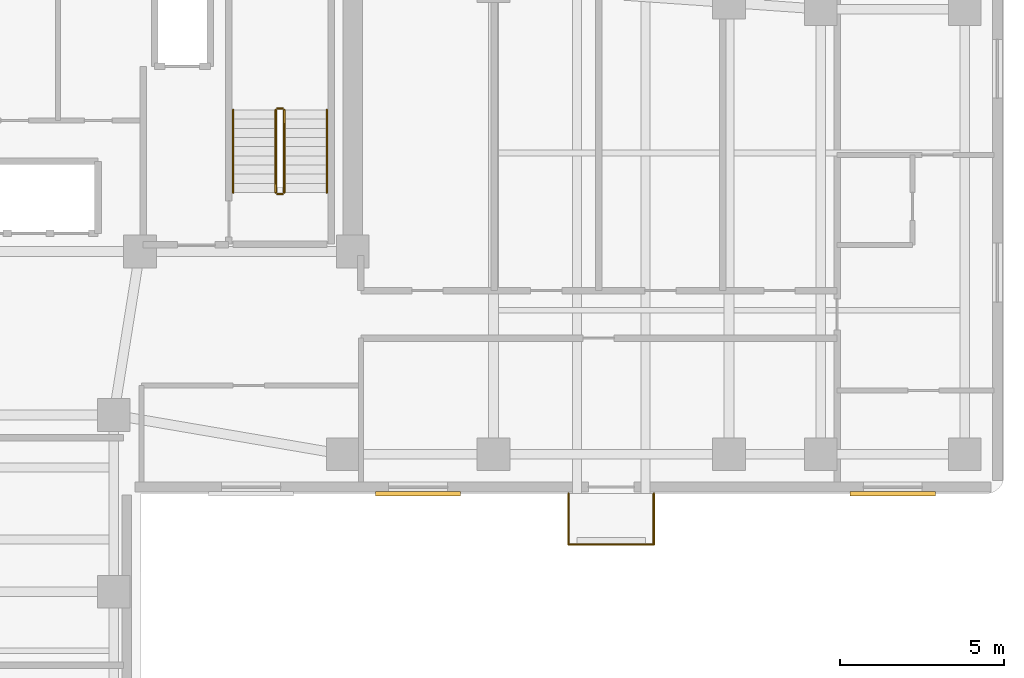
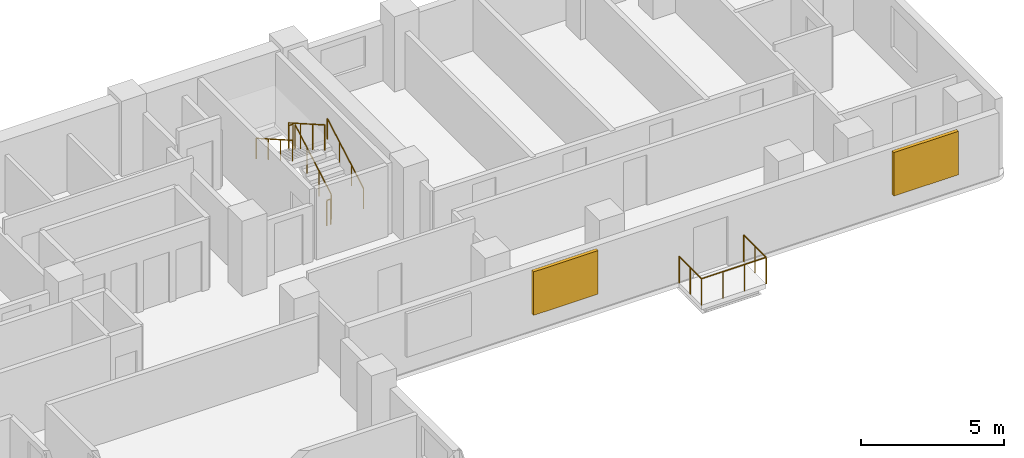
# One storey, part 7 of 7: 9 railings, 2 shading devices.
"""IFC4 building model written with IfcOpenShell, lengths in metres."""

import ifcopenshell
import ifcopenshell.guid

model = None  # the IFC model being written
_history = None  # IfcOwnerHistory: only IFC2X3 demands one
_inside = {}  # id of a spatial element -> (the spatial element, [elements in it])
_under = {}  # id of a project, library or spatial element -> (it, [spatial elements below it])
_declared = {}  # id of a project -> (the project, [libraries it declares])
_typed = {}  # id of a type object -> (the type object, [elements of that type])
_made_of = {}  # id of a material, layer set ... -> (it, [elements and type objects made of it])


def new_model(schema):
    """Start an empty IFC model of exactly this schema.

    Asked for "IFC4X3", IfcOpenShell would pick the latest addendum, in which some entities
    have other attributes; the version numbers below select the first issue.
    IFC2X3 requires an IfcOwnerHistory on every rooted entity: one is made here for all.
    """
    global model, _history
    if schema == "IFC4X3":
        model = ifcopenshell.file(schema_version=(4, 3, 0, 0))
    else:
        model = ifcopenshell.file(schema=schema)
    _inside.clear()
    _under.clear()
    _declared.clear()
    _typed.clear()
    _made_of.clear()
    _history = None
    if model.schema == "IFC2X3":
        org = make("IfcOrganization", Name="unknown")
        user = make(
            "IfcPersonAndOrganization",
            ThePerson=make("IfcPerson", FamilyName="unknown"),
            TheOrganization=org,
        )
        app = make(
            "IfcApplication",
            ApplicationDeveloper=org,
            Version="unknown",
            ApplicationFullName="unknown",
            ApplicationIdentifier="unknown",
        )
        _history = make(
            "IfcOwnerHistory",
            OwningUser=user,
            OwningApplication=app,
            ChangeAction="ADDED",
            CreationDate=0,
        )
    return model


def make(cls, **values):
    """One entity of the class cls with the attributes given. An attribute that is None is left unset."""
    return model.create_entity(
        cls, **{name: value for name, value in values.items() if value is not None}
    )


def rooted(cls, **values):
    """An entity with a GlobalId (a new one), such as an element, a storey or a relation."""
    return make(cls, GlobalId=ifcopenshell.guid.new(), OwnerHistory=_history, **values)


def si_unit(unit_type, name, prefix=None):
    """IfcSIUnit, for example si_unit("LENGTHUNIT", "METRE", prefix="MILLI")."""
    return make("IfcSIUnit", UnitType=unit_type, Prefix=prefix, Name=name)


def assignment(units):
    """IfcUnitAssignment: the units of a project."""
    return None if units is None else make("IfcUnitAssignment", Units=units)


def point(xyz):
    """IfcCartesianPoint."""
    return None if xyz is None else make("IfcCartesianPoint", Coordinates=xyz)


def direction(xyz):
    """IfcDirection."""
    return None if xyz is None else make("IfcDirection", DirectionRatios=xyz)


def frame(location, z_axis=None, x_axis=None):
    """IfcAxis2Placement3D, a coordinate frame: its origin and axes. An axis left out is left unset."""
    return make(
        "IfcAxis2Placement3D",
        Location=point(location),
        Axis=direction(z_axis),
        RefDirection=direction(x_axis),
    )


def frame_2d(location, x_axis=None):
    """IfcAxis2Placement2D, a coordinate frame in the plane: its origin and x axis."""
    return make(
        "IfcAxis2Placement2D", Location=point(location), RefDirection=direction(x_axis)
    )


def origin():
    """The frame at (0, 0, 0) with its axes left unset."""
    return frame((0.0, 0.0, 0.0))


def origin_2d():
    """The frame at (0, 0) in the plane with its x axis left unset."""
    return frame_2d((0.0, 0.0))


def place(relative_to, where):
    """IfcLocalPlacement: puts the frame where relative to a parent placement (None: the world)."""
    return make(
        "IfcLocalPlacement", PlacementRelTo=relative_to, RelativePlacement=where
    )


def context(
    kind, dimensions, precision=None, world=None, true_north=None, identifier=None
):
    """IfcGeometricRepresentationContext, for example the 3D "Model" context."""
    return make(
        "IfcGeometricRepresentationContext",
        ContextIdentifier=identifier,
        ContextType=kind,
        CoordinateSpaceDimension=dimensions,
        Precision=precision,
        WorldCoordinateSystem=world,
        TrueNorth=true_north,
    )


def subcontext(parent, identifier, kind, view, scale=None):
    """IfcGeometricRepresentationSubContext, for example "Body" below "Model"."""
    return make(
        "IfcGeometricRepresentationSubContext",
        ContextIdentifier=identifier,
        ContextType=kind,
        ParentContext=parent,
        TargetScale=scale,
        TargetView=view,
    )


def project(units=None, contexts=None):
    """IfcProject with its units and contexts."""
    return rooted(
        "IfcProject",
        Name="project",
        RepresentationContexts=contexts,
        UnitsInContext=assignment(units),
    )


def spatial(cls, under=None, at=None, **own):
    """A site, building, storey or space (cls), placed at a placement, below another one or the project."""
    s = rooted(cls, ObjectPlacement=at, **own)
    if under is not None:
        _under.setdefault(under.id(), (under, []))[1].append(s)
    return s


def profile(cls, at=None, kind="AREA", **sizes):
    """A parametric profile (cls). Its sizes go by their IFC names, for example OverallWidth=200.0."""
    return make(cls, ProfileType=kind, Position=at, **sizes)


def rectangle(**sizes):
    """IfcRectangleProfileDef."""
    return profile("IfcRectangleProfileDef", **sizes)


def circle(**sizes):
    """IfcCircleProfileDef."""
    return profile("IfcCircleProfileDef", **sizes)


def extrude(swept, where, along, depth):
    """IfcExtrudedAreaSolid: the profile swept, set in the frame where, extruded along a direction by depth."""
    return make(
        "IfcExtrudedAreaSolid",
        SweptArea=swept,
        Position=where,
        ExtrudedDirection=direction(along),
        Depth=depth,
    )


def shape(context_of_items, identifier, shape_type, items):
    """IfcShapeRepresentation: the items that make up one representation, for example the "Body"."""
    return make(
        "IfcShapeRepresentation",
        ContextOfItems=context_of_items,
        RepresentationIdentifier=identifier,
        RepresentationType=shape_type,
        Items=items,
    )


def material(Name=None, Category=None):
    """IfcMaterial."""
    return make("IfcMaterial", Name=Name, Category=Category)


def layer(
    of_material, thickness, ventilated=None, Name=None, Category=None, Priority=None
):
    """IfcMaterialLayer: one layer of a wall or slab, of a material (None: an air gap)."""
    return make(
        "IfcMaterialLayer",
        Material=of_material,
        LayerThickness=thickness,
        IsVentilated=ventilated,
        Name=Name,
        Category=Category,
        Priority=Priority,
    )


def layer_set(layers, Name=None):
    """IfcMaterialLayerSet."""
    return make("IfcMaterialLayerSet", MaterialLayers=layers, LayerSetName=Name)


def made_of(thing, what):
    """Note that an element or type object is made of a material, layer set ...; save() writes the relation."""
    if what is not None:
        _made_of.setdefault(what.id(), (what, []))[1].append(thing)
    return thing


def type_object(cls, material=None, **own):
    """A type object (cls), such as IfcWallType, which elements share."""
    return made_of(rooted(cls, **own), material)


def element(
    cls,
    number,
    at=None,
    inside=None,
    cuts=None,
    type_object=None,
    material=None,
    context=None,
    identifier="Body",
    shape_type=None,
    held_by="IfcProductDefinitionShape",
    body=None,
    shapes=None,
    **own,
):
    """One element of the class cls, such as IfcWall. Its Tag is "e" and its number.

    at: its placement. inside: the storey or other place that contains it. cuts: it is an
    opening in that element (IfcRelVoidsElement). A single representation is given by context,
    identifier, shape_type and body (its items); several are given by shapes. held_by: the class
    of the entity that holds the representations. save() writes the other relations.
    """
    e = rooted(cls, Tag="e%d" % number, ObjectPlacement=at, **own)
    if body is not None:
        shapes = [shape(context, identifier, shape_type, body)]
    if shapes is not None:
        e.Representation = make(held_by, Representations=shapes)
    if inside is not None:
        _inside.setdefault(inside.id(), (inside, []))[1].append(e)
    if cuts is not None:
        rooted(
            "IfcRelVoidsElement", RelatingBuildingElement=cuts, RelatedOpeningElement=e
        )
    if type_object is not None:
        _typed.setdefault(type_object.id(), (type_object, []))[1].append(e)
    return made_of(e, material)


def aggregate(whole, parts):
    """IfcRelAggregates: a whole, such as a stair, and the parts it consists of."""
    return rooted("IfcRelAggregates", RelatingObject=whole, RelatedObjects=parts)


def save(model, path):
    """Write the relations noted so far, then the file.

    IfcRelAggregates (storeys below a building ...), IfcRelContainedInSpatialStructure (elements
    in a storey), IfcRelDefinesByType, IfcRelAssociatesMaterial and IfcRelDeclares: one each for
    every whole, place, type object, material and project.
    """
    for whole, parts in _under.values():
        aggregate(whole, parts)
    for where, things in _inside.values():
        rooted(
            "IfcRelContainedInSpatialStructure",
            RelatedElements=things,
            RelatingStructure=where,
        )
    for kind, things in _typed.values():
        rooted("IfcRelDefinesByType", RelatedObjects=things, RelatingType=kind)
    for what, things in _made_of.values():
        rooted("IfcRelAssociatesMaterial", RelatedObjects=things, RelatingMaterial=what)
    for by, libraries in _declared.values():
        rooted("IfcRelDeclares", RelatingContext=by, RelatedDefinitions=libraries)
    model.write(path)


model = new_model("IFC4")

# Units and contexts
model_context = context("Model", 3, precision=1e-05, world=origin(), true_north=direction((0.0, 1.0)))
body_context = subcontext(model_context, "Body", "Model", "MODEL_VIEW")
ifc_project = project(units=[si_unit("LENGTHUNIT", "METRE"), si_unit("AREAUNIT", "SQUARE_METRE"), si_unit("VOLUMEUNIT", "CUBIC_METRE"), si_unit("PLANEANGLEUNIT", "RADIAN"), si_unit("MASSUNIT", "GRAM", prefix="KILO")], contexts=[model_context])

# Site, building, storey
site_placement = place(None, origin())
site = spatial("IfcSite", under=ifc_project, at=site_placement, CompositionType="ELEMENT")
building_placement = place(site_placement, origin())
building = spatial("IfcBuilding", under=site, at=building_placement, Name="Kuzgunbayir Cultural Tower", CompositionType="ELEMENT")
storey_placement = place(building_placement, frame((0.0, 0.0, 113.800048828125)))
storey = spatial("IfcBuildingStorey", under=building, at=storey_placement, Name="L32", CompositionType="ELEMENT", Elevation=113.800048828125)

# Railings
ifc_material_1 = material(Name="Laminated Glass and Stainless Steel", Category="steel")
ifc_layer_1 = layer(ifc_material_1, 0.080078125)
ifc_layer_set_1 = layer_set([ifc_layer_1], Name="Laminated Glass and Stainless Steel")
railing_type_1 = type_object("IfcRailingType", Name="RLG-BAL-115", PredefinedType="BALUSTRADE", material=ifc_layer_set_1)
railing_1_placement = place(storey_placement, frame((33.5, 26.39990234375, 0.0)))
element("IfcRailing", 1, at=railing_1_placement, inside=storey, type_object=railing_type_1, Name="L32 Balcony Guard BAL-L32-WB2 Segment 1", PredefinedType="BALUSTRADE", context=body_context, shape_type="SweptSolid", body=[
    extrude(circle(Radius=0.02392578125, at=origin_2d()), frame((0.0, 0.0, 1.1259765625), z_axis=(0.0, -1.0, 0.0), x_axis=(1.0, 0.0, 0.0)), (0.0, 0.0, 1.0), 1.559814453125),
    extrude(circle(Radius=0.02099609375, at=origin_2d()), origin(), (0.0, 0.0, 1.0), 1.101806640625),
    extrude(circle(Radius=0.02099609375, at=origin_2d()), frame((0.0, -0.77978515625, 0.0)), (0.0, 0.0, 1.0), 1.101806640625),
    extrude(circle(Radius=0.02099609375, at=origin_2d()), frame((0.0, -1.559814453125, 0.0)), (0.0, 0.0, 1.0), 1.101806640625),
])
railing_2_placement = place(storey_placement, frame((33.5, 24.840087890625, 0.0)))
element("IfcRailing", 2, at=railing_2_placement, inside=storey, type_object=railing_type_1, Name="L32 Balcony Guard BAL-L32-WB2 Segment 2", PredefinedType="BALUSTRADE", context=body_context, shape_type="SweptSolid", body=[
    extrude(circle(Radius=0.02392578125, at=origin_2d()), frame((0.0, 0.0, 1.1259765625), z_axis=(1.0, 0.0, 0.0), x_axis=(0.0, 1.0, 0.0)), (0.0, 0.0, 1.0), 2.60009765625),
    extrude(circle(Radius=0.02099609375, at=origin_2d()), origin(), (0.0, 0.0, 1.0), 1.101806640625),
    extrude(circle(Radius=0.02099609375, at=origin_2d()), frame((0.86669921875, 0.0, 0.0)), (0.0, 0.0, 1.0), 1.101806640625),
    extrude(circle(Radius=0.02099609375, at=origin_2d()), frame((1.7333984375, 0.0, 0.0)), (0.0, 0.0, 1.0), 1.101806640625),
    extrude(circle(Radius=0.02099609375, at=origin_2d()), frame((2.60009765625, 0.0, 0.0)), (0.0, 0.0, 1.0), 1.101806640625),
])
railing_3_placement = place(storey_placement, frame((36.10009765625, 24.840087890625, 0.0)))
element("IfcRailing", 3, at=railing_3_placement, inside=storey, type_object=railing_type_1, Name="L32 Balcony Guard BAL-L32-WB2 Segment 3", PredefinedType="BALUSTRADE", context=body_context, shape_type="SweptSolid", body=[
    extrude(circle(Radius=0.02392578125, at=origin_2d()), frame((0.0, 0.0, 1.1259765625), z_axis=(0.0, 1.0, 0.0), x_axis=(-1.0, 0.0, 0.0)), (0.0, 0.0, 1.0), 1.559814453125),
    extrude(circle(Radius=0.02099609375, at=origin_2d()), origin(), (0.0, 0.0, 1.0), 1.101806640625),
    extrude(circle(Radius=0.02099609375, at=origin_2d()), frame((0.0, 0.77978515625, 0.0)), (0.0, 0.0, 1.0), 1.101806640625),
    extrude(circle(Radius=0.02099609375, at=origin_2d()), frame((0.0, 1.559814453125, 0.0)), (0.0, 0.0, 1.0), 1.101806640625),
])
ifc_material_2 = material(Name="Brushed Stainless Steel", Category="steel")
ifc_layer_2 = layer(ifc_material_2, 0.050048828125)
ifc_layer_set_2 = layer_set([ifc_layer_2], Name="Brushed Stainless Steel")
railing_type_2 = type_object("IfcRailingType", Name="RLG-STAIR-HANDRAIL", PredefinedType="HANDRAIL", material=ifc_layer_set_2)
railing_4_placement = place(storey_placement, frame((26.110107421875, 35.60009765625, 0.159912109375)))
element("IfcRailing", 4, at=railing_4_placement, inside=storey, type_object=railing_type_2, Name="L32 ST-2 stair handrail 1", PredefinedType="HANDRAIL", context=body_context, shape_type="SweptSolid", body=[
    extrude(circle(Radius=0.02392578125, at=origin_2d()), frame((0.0, 0.0, 0.8759765625), z_axis=(0.0, 0.868253494771, 0.496120820787), x_axis=(-1.0, 0.0, 0.0)), (0.0, 0.0, 1.0), 2.90234375),
    extrude(circle(Radius=0.02099609375, at=origin_2d()), origin(), (0.0, 0.0, 1.0), 0.851806640625),
    extrude(circle(Radius=0.02099609375, at=origin_2d()), frame((0.0, 0.840087890625, 0.47998046875)), (0.0, 0.0, 1.0), 0.851806640625),
    extrude(circle(Radius=0.02099609375, at=origin_2d()), frame((0.0, 1.679931640625, 0.9599609375)), (0.0, 0.0, 1.0), 0.851806640625),
    extrude(circle(Radius=0.02099609375, at=origin_2d()), frame((0.0, 2.52001953125, 1.43994140625)), (0.0, 0.0, 1.0), 0.851806640625),
])
railing_5_placement = place(storey_placement, frame((23.25, 38.1201171875, 1.760009765625)))
element("IfcRailing", 5, at=railing_5_placement, inside=storey, type_object=railing_type_2, Name="L32 ST-2 stair handrail 2", PredefinedType="HANDRAIL", context=body_context, shape_type="SweptSolid", body=[
    extrude(circle(Radius=0.02392578125, at=origin_2d()), frame((0.0, 0.0, 0.8759765625), z_axis=(0.0, -0.868253494771, 0.496120820787), x_axis=(1.0, 0.0, 0.0)), (0.0, 0.0, 1.0), 2.90234375),
    extrude(circle(Radius=0.02099609375, at=origin_2d()), origin(), (0.0, 0.0, 1.0), 0.851806640625),
    extrude(circle(Radius=0.02099609375, at=origin_2d()), frame((0.0, -0.840087890625, 0.47998046875)), (0.0, 0.0, 1.0), 0.851806640625),
    extrude(circle(Radius=0.02099609375, at=origin_2d()), frame((0.0, -1.679931640625, 0.9599609375)), (0.0, 0.0, 1.0), 0.851806640625),
    extrude(circle(Radius=0.02099609375, at=origin_2d()), frame((0.0, -2.52001953125, 1.43994140625)), (0.0, 0.0, 1.0), 0.851806640625),
])
ifc_material_3 = material(Name="Painted Steel Balustrade", Category="steel")
ifc_layer_3 = layer(ifc_material_3, 0.06005859375)
ifc_layer_set_3 = layer_set([ifc_layer_3], Name="Painted Steel Balustrade")
railing_type_3 = type_object("IfcRailingType", Name="RLG-WELL-GUARD", PredefinedType="GUARDRAIL", material=ifc_layer_set_3)
railing_6_placement = place(storey_placement, frame((24.81005859375, 35.60009765625, 0.159912109375)))
element("IfcRailing", 6, at=railing_6_placement, inside=storey, type_object=railing_type_3, Name="L32 ST-2 stair guard 1", PredefinedType="GUARDRAIL", context=body_context, shape_type="SweptSolid", body=[
    extrude(circle(Radius=0.02392578125, at=origin_2d()), frame((0.0, 0.0, 1.076171875), z_axis=(0.0, 0.868253494771, 0.496120820787), x_axis=(-1.0, 0.0, 0.0)), (0.0, 0.0, 1.0), 2.90234375),
    extrude(circle(Radius=0.02099609375, at=origin_2d()), origin(), (0.0, 0.0, 1.0), 1.052001953125),
    extrude(circle(Radius=0.02099609375, at=origin_2d()), frame((0.0, 0.840087890625, 0.47998046875)), (0.0, 0.0, 1.0), 1.052001953125),
    extrude(circle(Radius=0.02099609375, at=origin_2d()), frame((0.0, 1.679931640625, 0.9599609375)), (0.0, 0.0, 1.0), 1.052001953125),
    extrude(circle(Radius=0.02099609375, at=origin_2d()), frame((0.0, 2.52001953125, 1.43994140625)), (0.0, 0.0, 1.0), 1.052001953125),
])
railing_7_placement = place(storey_placement, frame((24.760009765625, 38.169921875, 1.599853515625)))
element("IfcRailing", 7, at=railing_7_placement, inside=storey, type_object=railing_type_3, Name="L32 ST-2 stair guard 2", PredefinedType="GUARDRAIL", context=body_context, shape_type="SweptSolid", body=[
    extrude(circle(Radius=0.02392578125, at=origin_2d()), frame((0.0, 0.0, 1.076171875), z_axis=(-1.0, 0.0, 0.0), x_axis=(0.0, -1.0, 0.0)), (0.0, 0.0, 1.0), 0.159912109375),
    extrude(circle(Radius=0.02099609375, at=origin_2d()), origin(), (0.0, 0.0, 1.0), 1.052001953125),
    extrude(circle(Radius=0.02099609375, at=origin_2d()), frame((-0.159912109375, 0.0, 0.0)), (0.0, 0.0, 1.0), 1.052001953125),
])
railing_8_placement = place(storey_placement, frame((24.550048828125, 38.1201171875, 1.760009765625)))
element("IfcRailing", 8, at=railing_8_placement, inside=storey, type_object=railing_type_3, Name="L32 ST-2 stair guard 3", PredefinedType="GUARDRAIL", context=body_context, shape_type="SweptSolid", body=[
    extrude(circle(Radius=0.02392578125, at=origin_2d()), frame((0.0, 0.0, 1.076171875), z_axis=(0.0, -0.868253494771, 0.496120820787), x_axis=(1.0, 0.0, 0.0)), (0.0, 0.0, 1.0), 2.90234375),
    extrude(circle(Radius=0.02099609375, at=origin_2d()), origin(), (0.0, 0.0, 1.0), 1.052001953125),
    extrude(circle(Radius=0.02099609375, at=origin_2d()), frame((0.0, -0.840087890625, 0.47998046875)), (0.0, 0.0, 1.0), 1.052001953125),
    extrude(circle(Radius=0.02099609375, at=origin_2d()), frame((0.0, -1.679931640625, 0.9599609375)), (0.0, 0.0, 1.0), 1.052001953125),
    extrude(circle(Radius=0.02099609375, at=origin_2d()), frame((0.0, -2.52001953125, 1.43994140625)), (0.0, 0.0, 1.0), 1.052001953125),
])
railing_9_placement = place(storey_placement, frame((24.760009765625, 35.550048828125, 0.0)))
element("IfcRailing", 9, at=railing_9_placement, inside=storey, type_object=railing_type_3, Name="L32 ST-2 stair guard 4", PredefinedType="GUARDRAIL", context=body_context, shape_type="SweptSolid", body=[
    extrude(circle(Radius=0.02392578125, at=origin_2d()), frame((0.0, 0.0, 1.076171875), z_axis=(-1.0, 0.0, 0.0), x_axis=(0.0, -1.0, 0.0)), (0.0, 0.0, 1.0), 0.159912109375),
    extrude(circle(Radius=0.02099609375, at=origin_2d()), origin(), (0.0, 0.0, 1.0), 1.052001953125),
    extrude(circle(Radius=0.02099609375, at=origin_2d()), frame((-0.159912109375, 0.0, 0.0)), (0.0, 0.0, 1.0), 1.052001953125),
])

# Shading devices
ifc_material_4 = material(Name="Perforated Bronze-Anodised Aluminium", Category="aluminium")
shading_device_type = type_object("IfcShadingDeviceType", Name="SHD-SOLAR-BRONZE", PredefinedType="JALOUSIE", material=ifc_material_4)
for number, where, z_axis, x_axis, name in (
    (10, (28.89990234375, 26.39990234375, 0.724853515625), (0.0, 0.0, 1.0), (1.0, 0.0, 0.0), "L32 Solar Screen WBS13"),
    (11, (43.39990234375, 26.39990234375, 0.724853515625), (0.0, 0.0, 1.0), (1.0, 0.0, 0.0), "L32 Solar Screen WBS14"),
):
    element("IfcShadingDevice", number, at=place(storey_placement, frame(where, z_axis=z_axis, x_axis=x_axis)), inside=storey, type_object=shading_device_type, Name=name, PredefinedType="JALOUSIE", context=body_context, shape_type="SweptSolid", body=[
        extrude(rectangle(XDim=2.60009765625, YDim=0.139892578125, at=origin_2d()), origin(), (0.0, 0.0, 1.0), 1.85009765625),
    ])

save(model, "model.ifc")
